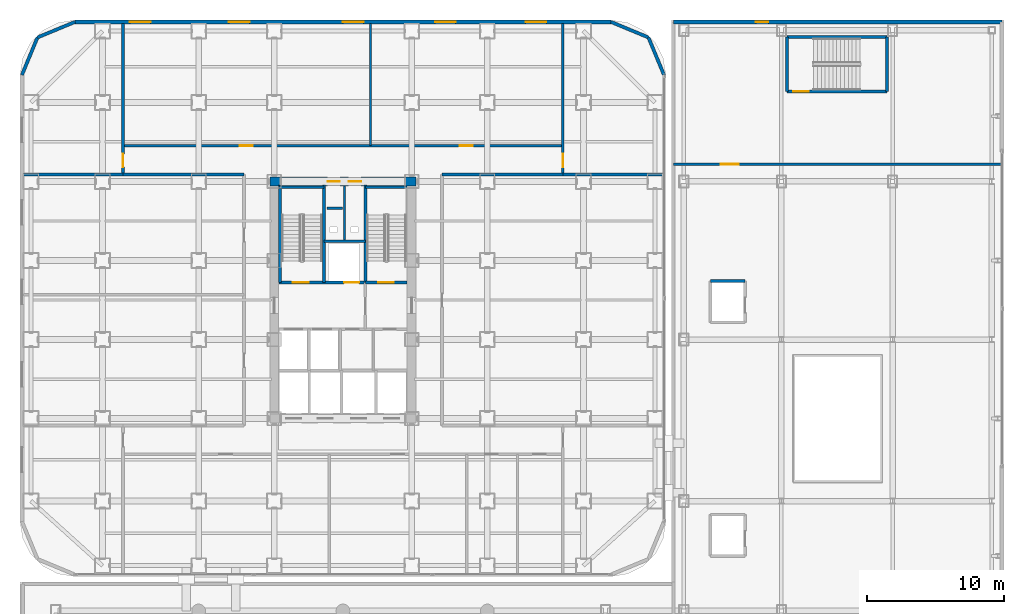
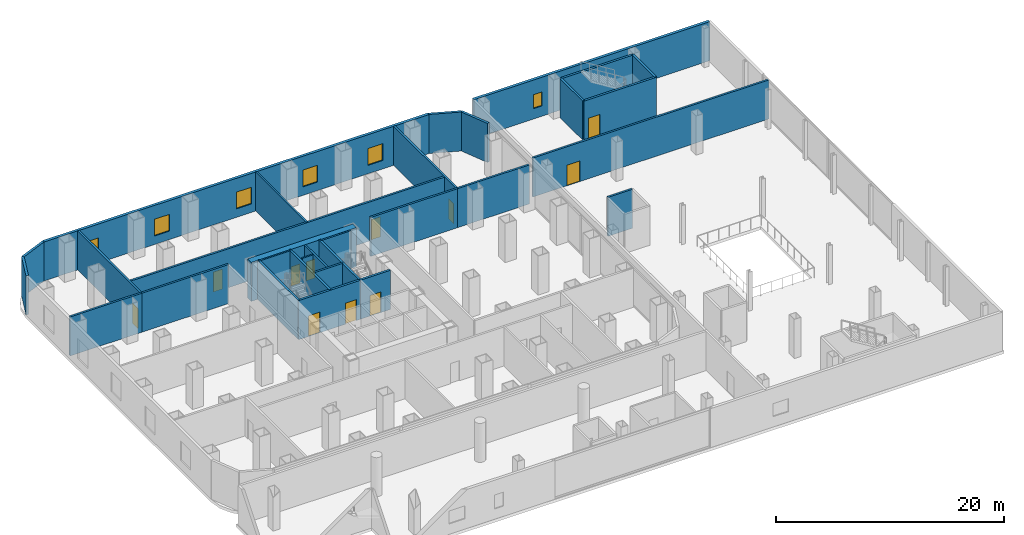
# One storey, part 21 of 26: 31 walls, 11 doors, 6 windows, 17 openings.
"""IFC4 building model written with IfcOpenShell, lengths in metres."""

from ifc_helpers import new_model, si_unit, direction, frame, frame_2d, origin, place, context, subcontext, project, spatial, rectangle, extrude, material, layer, layer_set, type_object, element, fill, save


model = new_model("IFC4")

# Units and contexts
model_context = context("Model", 3, precision=1e-05, world=origin(), true_north=direction((0.0, 1.0)))
body_context = subcontext(model_context, "Body", "Model", "MODEL_VIEW")
ifc_project = project(units=[si_unit("LENGTHUNIT", "METRE"), si_unit("AREAUNIT", "SQUARE_METRE"), si_unit("VOLUMEUNIT", "CUBIC_METRE"), si_unit("PLANEANGLEUNIT", "RADIAN"), si_unit("MASSUNIT", "GRAM", prefix="KILO")], contexts=[model_context])

# Site, building, storey
site_placement = place(None, origin())
site = spatial("IfcSite", under=ifc_project, at=site_placement, CompositionType="ELEMENT")
building_placement = place(site_placement, origin())
building = spatial("IfcBuilding", under=site, at=building_placement, Name="Kolveth Station Tower", CompositionType="ELEMENT")
storey_placement = place(building_placement, frame((0.0, 0.0, 9.0)))
storey = spatial("IfcBuildingStorey", under=building, at=storey_placement, Name="L02", CompositionType="ELEMENT", Elevation=9.0)

# Wall, openings, doors
ifc_material_1 = material(Name="Concrete C60/75", Category="concrete")
ifc_layer_1 = layer(ifc_material_1, 0.64990234375)
ifc_layer_set_1 = layer_set([ifc_layer_1], Name="Concrete C60/75")
wall_type_1 = type_object("IfcWallType", Name="Wall_CW-650", PredefinedType="SHEAR", material=ifc_layer_set_1)
wall_1_placement = place(storey_placement, frame((18.175048828125, 28.75, 0.0), z_axis=(0.0, 0.0, 1.0), x_axis=(1.0, 0.0, 0.0)))
wall_1 = element("IfcWall", 1, at=wall_1_placement, inside=storey, type_object=wall_type_1, Name="L02 Core RC Shear Wall N", PredefinedType="SHEAR", context=body_context, shape_type="SweptSolid", body=[
    extrude(rectangle(XDim=10.64990234375, YDim=0.64990234375, at=frame_2d((5.324951171875, 0.0))), origin(), (0.0, 0.0, 1.0), 4.179931640625),
])
opening_1_placement = place(wall_1_placement, frame((4.205078125, 0.0, 0.0)))
opening_1 = element("IfcOpeningElement", 2, at=opening_1_placement, cuts=wall_1, Name="Opening RD1", PredefinedType="OPENING", context=body_context, shape_type="SweptSolid", body=[
    extrude(rectangle(XDim=0.89990234375, YDim=2.050048828125, at=frame_2d((0.449951171875, 1.02490234375))), frame((0.0, 0.3349609375, 0.0), z_axis=(0.0, -1.0, 0.0), x_axis=(1.0, 0.0, 0.0)), (0.0, 0.0, 1.0), 0.669921875),
])
opening_2_placement = place(wall_1_placement, frame((5.7451171875, 0.0, 0.0)))
opening_2 = element("IfcOpeningElement", 3, at=opening_2_placement, cuts=wall_1, Name="Opening RD1", PredefinedType="OPENING", context=body_context, shape_type="SweptSolid", body=[
    extrude(rectangle(XDim=0.89990234375, YDim=2.050048828125, at=frame_2d((0.449951171875, 1.02490234375))), frame((0.0, 0.3349609375, 0.0), z_axis=(0.0, -1.0, 0.0), x_axis=(1.0, 0.0, 0.0)), (0.0, 0.0, 1.0), 0.669921875),
])
ifc_material_2 = material(Name="Fire-rated Steel S355 riser access leaf", Category="steel")
door_type_1 = type_object("IfcDoorType", Name="Door_RD1", OperationType="NOTDEFINED", PredefinedType="DOOR", material=ifc_material_2)
door_1_placement = place(opening_1_placement, origin())
door_1 = element("IfcDoor", 4, at=door_1_placement, inside=storey, type_object=door_type_1, Name="L02 Electrical Riser Access Door", OperationType="SINGLE_SWING_RIGHT", OverallHeight=2.050048828125, OverallWidth=0.89990234375, PredefinedType="DOOR", context=body_context, shape_type="SweptSolid", body=[
    extrude(rectangle(XDim=0.89990234375, YDim=2.050048828125, at=frame_2d((0.449951171875, 1.02490234375))), frame((0.0, 0.02490234375, 0.0), z_axis=(0.0, -1.0, 0.0), x_axis=(1.0, 0.0, 0.0)), (0.0, 0.0, 1.0), 0.050048828125),
])
fill(opening_1, door_1)
door_2_placement = place(opening_2_placement, origin())
door_2 = element("IfcDoor", 5, at=door_2_placement, inside=storey, type_object=door_type_1, Name="L02 Smoke Duct Access Door", OperationType="SINGLE_SWING_LEFT", OverallHeight=2.050048828125, OverallWidth=0.89990234375, PredefinedType="DOOR", context=body_context, shape_type="SweptSolid", body=[
    extrude(rectangle(XDim=0.89990234375, YDim=2.050048828125, at=frame_2d((0.449951171875, 1.02490234375))), frame((0.0, 0.02490234375, 0.0), z_axis=(0.0, -1.0, 0.0), x_axis=(1.0, 0.0, 0.0)), (0.0, 0.0, 1.0), 0.050048828125),
])
fill(opening_2, door_2)

# Walls
ifc_material_3 = material(Name="Precast concrete C40/50", Category="concrete")
ifc_layer_2 = layer(ifc_material_3, 0.239990234375)
ifc_layer_set_2 = layer_set([ifc_layer_2], Name="Precast concrete C40/50")
wall_type_2 = type_object("IfcWallType", Name="Wall_EW-240", PredefinedType="SOLIDWALL", material=ifc_layer_set_2)
for number, where, z_axis, x_axis, name in (
    (6, (46.860107421875, 36.5, 0.0), (0.0, 0.0, 1.0), (-0.382689947836, 0.923876833688, 0.0), "L02 Podium Rounded Corner Wall 3"),
    (7, (45.7294921875, 39.2294921875, 0.0), (0.0, 0.0, 1.0), (-0.923876833688, 0.382689947836, 0.0), "L02 Podium Rounded Corner Wall 4"),
    (8, (4.0, 40.360107421875, 0.0), (0.0, 0.0, 1.0), (-0.923876833688, -0.382689947836, 0.0), "L02 Podium Rounded Corner Wall 5"),
    (9, (1.2705078125, 39.2294921875, 0.0), (0.0, 0.0, 1.0), (-0.382689947836, -0.923876833688, 0.0), "L02 Podium Rounded Corner Wall 6"),
):
    element("IfcWall", number, at=place(storey_placement, frame(where, z_axis=z_axis, x_axis=x_axis)), inside=storey, type_object=wall_type_2, Name=name, PredefinedType="SOLIDWALL", context=body_context, shape_type="SweptSolid", body=[
        extrude(rectangle(XDim=2.954345703125, YDim=0.239990234375, at=frame_2d((1.47705078125, 0.0))), origin(), (0.0, 0.0, 1.0), 4.179931640625),
    ])

# Wall, openings, windows
ifc_layer_3 = layer(ifc_material_3, 0.280029296875)
ifc_layer_set_3 = layer_set([ifc_layer_3], Name="Precast concrete C40/50")
wall_type_3 = type_object("IfcWallType", Name="Wall_EW-280", PredefinedType="SOLIDWALL", material=ifc_layer_set_3)
wall_2_placement = place(storey_placement, frame((4.0, 40.360107421875, 0.0), z_axis=(0.0, 0.0, 1.0), x_axis=(1.0, 0.0, 0.0)))
wall_2 = element("IfcWall", 10, at=wall_2_placement, inside=storey, type_object=wall_type_3, Name="L02 Tower Podium North Exterior Wall", PredefinedType="SOLIDWALL", context=body_context, shape_type="SweptSolid", body=[
    extrude(rectangle(XDim=39.0, YDim=0.280029296875, at=frame_2d((19.5, 0.0))), origin(), (0.0, 0.0, 1.0), 4.179931640625),
])
opening_3_placement = place(wall_2_placement, frame((4.0, 0.0, 0.89990234375)))
opening_3 = element("IfcOpeningElement", 11, at=opening_3_placement, cuts=wall_2, Name="Opening W3", PredefinedType="OPENING", context=body_context, shape_type="SweptSolid", body=[
    extrude(rectangle(XDim=1.5, YDim=1.800048828125, at=frame_2d((0.75, 0.89990234375))), frame((0.0, 0.14990234375, 0.0), z_axis=(0.0, -1.0, 0.0), x_axis=(1.0, 0.0, 0.0)), (0.0, 0.0, 1.0), 0.300048828125),
])
opening_4_placement = place(wall_2_placement, frame((11.199951171875, 0.0, 0.89990234375)))
opening_4 = element("IfcOpeningElement", 12, at=opening_4_placement, cuts=wall_2, Name="Opening W3", PredefinedType="OPENING", context=body_context, shape_type="SweptSolid", body=[
    extrude(rectangle(XDim=1.5, YDim=1.800048828125, at=frame_2d((0.75, 0.89990234375))), frame((0.0, 0.14990234375, 0.0), z_axis=(0.0, -1.0, 0.0), x_axis=(1.0, 0.0, 0.0)), (0.0, 0.0, 1.0), 0.300048828125),
])
opening_5_placement = place(wall_2_placement, frame((19.5, 0.0, 0.89990234375)))
opening_5 = element("IfcOpeningElement", 13, at=opening_5_placement, cuts=wall_2, Name="Opening W3", PredefinedType="OPENING", context=body_context, shape_type="SweptSolid", body=[
    extrude(rectangle(XDim=1.5, YDim=1.800048828125, at=frame_2d((0.75, 0.89990234375))), frame((0.0, 0.14990234375, 0.0), z_axis=(0.0, -1.0, 0.0), x_axis=(1.0, 0.0, 0.0)), (0.0, 0.0, 1.0), 0.300048828125),
])
opening_6_placement = place(wall_2_placement, frame((26.199951171875, 0.0, 0.89990234375)))
opening_6 = element("IfcOpeningElement", 14, at=opening_6_placement, cuts=wall_2, Name="Opening W3", PredefinedType="OPENING", context=body_context, shape_type="SweptSolid", body=[
    extrude(rectangle(XDim=1.5, YDim=1.800048828125, at=frame_2d((0.75, 0.89990234375))), frame((0.0, 0.14990234375, 0.0), z_axis=(0.0, -1.0, 0.0), x_axis=(1.0, 0.0, 0.0)), (0.0, 0.0, 1.0), 0.300048828125),
])
opening_7_placement = place(wall_2_placement, frame((32.800048828125, 0.0, 0.89990234375)))
opening_7 = element("IfcOpeningElement", 15, at=opening_7_placement, cuts=wall_2, Name="Opening W3", PredefinedType="OPENING", context=body_context, shape_type="SweptSolid", body=[
    extrude(rectangle(XDim=1.5, YDim=1.800048828125, at=frame_2d((0.75, 0.89990234375))), frame((0.0, 0.14990234375, 0.0), z_axis=(0.0, -1.0, 0.0), x_axis=(1.0, 0.0, 0.0)), (0.0, 0.0, 1.0), 0.300048828125),
])
ifc_material_4 = material(Name="Black anodized aluminium 6063-T6 and low-E dark glass", Category="aluminium")
window_type_1 = type_object("IfcWindowType", Name="Win_W3", PartitioningType="SINGLE_PANEL", PredefinedType="WINDOW", material=ifc_material_4)
window_1_placement = place(opening_3_placement, origin())
window_1 = element("IfcWindow", 16, at=window_1_placement, inside=storey, type_object=window_type_1, Name="L02 Tower Podium North Window 1", OverallHeight=1.800048828125, OverallWidth=1.5, PartitioningType="SINGLE_PANEL", PredefinedType="WINDOW", context=body_context, shape_type="SweptSolid", body=[
    extrude(rectangle(XDim=1.5, YDim=1.800048828125, at=frame_2d((0.75, 0.89990234375))), frame((0.0, 0.030029296875, 0.0), z_axis=(0.0, -1.0, 0.0), x_axis=(1.0, 0.0, 0.0)), (0.0, 0.0, 1.0), 0.06005859375),
])
fill(opening_3, window_1)
window_2_placement = place(opening_4_placement, origin())
window_2 = element("IfcWindow", 17, at=window_2_placement, inside=storey, type_object=window_type_1, Name="L02 Tower Podium North Window 2", OverallHeight=1.800048828125, OverallWidth=1.5, PartitioningType="SINGLE_PANEL", PredefinedType="WINDOW", context=body_context, shape_type="SweptSolid", body=[
    extrude(rectangle(XDim=1.5, YDim=1.800048828125, at=frame_2d((0.75, 0.89990234375))), frame((0.0, 0.030029296875, 0.0), z_axis=(0.0, -1.0, 0.0), x_axis=(1.0, 0.0, 0.0)), (0.0, 0.0, 1.0), 0.06005859375),
])
fill(opening_4, window_2)
window_3_placement = place(opening_5_placement, origin())
window_3 = element("IfcWindow", 18, at=window_3_placement, inside=storey, type_object=window_type_1, Name="L02 Tower Podium North Window 3", OverallHeight=1.800048828125, OverallWidth=1.5, PartitioningType="SINGLE_PANEL", PredefinedType="WINDOW", context=body_context, shape_type="SweptSolid", body=[
    extrude(rectangle(XDim=1.5, YDim=1.800048828125, at=frame_2d((0.75, 0.89990234375))), frame((0.0, 0.030029296875, 0.0), z_axis=(0.0, -1.0, 0.0), x_axis=(1.0, 0.0, 0.0)), (0.0, 0.0, 1.0), 0.06005859375),
])
fill(opening_5, window_3)
window_4_placement = place(opening_6_placement, origin())
window_4 = element("IfcWindow", 19, at=window_4_placement, inside=storey, type_object=window_type_1, Name="L02 Tower Podium North Window 4", OverallHeight=1.800048828125, OverallWidth=1.5, PartitioningType="SINGLE_PANEL", PredefinedType="WINDOW", context=body_context, shape_type="SweptSolid", body=[
    extrude(rectangle(XDim=1.5, YDim=1.800048828125, at=frame_2d((0.75, 0.89990234375))), frame((0.0, 0.030029296875, 0.0), z_axis=(0.0, -1.0, 0.0), x_axis=(1.0, 0.0, 0.0)), (0.0, 0.0, 1.0), 0.06005859375),
])
fill(opening_6, window_4)
window_5_placement = place(opening_7_placement, origin())
window_5 = element("IfcWindow", 20, at=window_5_placement, inside=storey, type_object=window_type_1, Name="L02 Tower Podium North Window 5", OverallHeight=1.800048828125, OverallWidth=1.5, PartitioningType="SINGLE_PANEL", PredefinedType="WINDOW", context=body_context, shape_type="SweptSolid", body=[
    extrude(rectangle(XDim=1.5, YDim=1.800048828125, at=frame_2d((0.75, 0.89990234375))), frame((0.0, 0.030029296875, 0.0), z_axis=(0.0, -1.0, 0.0), x_axis=(1.0, 0.0, 0.0)), (0.0, 0.0, 1.0), 0.06005859375),
])
fill(opening_7, window_5)

# Wall, opening, window
wall_3_placement = place(storey_placement, frame((47.5400390625, 40.35009765625, 0.0), z_axis=(0.0, 0.0, 1.0), x_axis=(1.0, 0.0, 0.0)))
wall_3 = element("IfcWall", 21, at=wall_3_placement, inside=storey, type_object=wall_type_3, Name="L02 Station Exterior Wall N1", PredefinedType="SOLIDWALL", context=body_context, shape_type="SweptSolid", body=[
    extrude(rectangle(XDim=23.909912109375, YDim=0.280029296875, at=frame_2d((11.955078125, 0.0))), origin(), (0.0, 0.0, 1.0), 4.179931640625),
])
opening_8_placement = place(wall_3_placement, frame((6.010009765625, 0.0, 1.10009765625)))
opening_8 = element("IfcOpeningElement", 22, at=opening_8_placement, cuts=wall_3, Name="Opening W8", PredefinedType="OPENING", context=body_context, shape_type="SweptSolid", body=[
    extrude(rectangle(XDim=0.89990234375, YDim=1.5, at=frame_2d((0.449951171875, 0.75))), frame((0.0, 0.14990234375, 0.0), z_axis=(0.0, -1.0, 0.0), x_axis=(1.0, 0.0, 0.0)), (0.0, 0.0, 1.0), 0.300048828125),
])
ifc_material_5 = material(Name="Black anodized aluminium 6063-T6 and frosted glass", Category="aluminium")
window_type_2 = type_object("IfcWindowType", Name="Win_W8", PartitioningType="SINGLE_PANEL", PredefinedType="WINDOW", material=ifc_material_5)
window_6_placement = place(opening_8_placement, origin())
window_6 = element("IfcWindow", 23, at=window_6_placement, inside=storey, type_object=window_type_2, Name="L02 Station Hall Window 4", OverallHeight=1.5, OverallWidth=0.89990234375, PartitioningType="SINGLE_PANEL", PredefinedType="WINDOW", context=body_context, shape_type="SweptSolid", body=[
    extrude(rectangle(XDim=0.89990234375, YDim=1.5, at=frame_2d((0.449951171875, 0.75))), frame((0.0, 0.030029296875, 0.0), z_axis=(0.0, -1.0, 0.0), x_axis=(1.0, 0.0, 0.0)), (0.0, 0.0, 1.0), 0.06005859375),
])
fill(opening_8, window_6)

# Walls
ifc_material_6 = material(Name="Acoustic double-stud gypsum partition")
ifc_layer_4 = layer(ifc_material_6, 0.1650390625)
ifc_layer_set_4 = layer_set([ifc_layer_4], Name="Acoustic double-stud gypsum partition")
wall_type_4 = type_object("IfcWallType", Name="Wall_IW-165", PredefinedType="PARTITIONING", material=ifc_layer_set_4)
wall_4_placement = place(storey_placement, frame((18.8349609375, 28.3349609375, 0.0), z_axis=(0.0, 0.0, 1.0), x_axis=(1.0, 0.0, 0.0)))
element("IfcWall", 24, at=wall_4_placement, inside=storey, type_object=wall_type_4, Name="L02 Stair Shaft Wall WL-L02-ST1-N", PredefinedType="PARTITIONING", context=body_context, shape_type="SweptSolid", body=[
    extrude(rectangle(XDim=3.275146484375, YDim=0.1650390625, at=frame_2d((1.6376953125, 0.0))), origin(), (0.0, 0.0, 1.0), 4.179931640625),
])
wall_5_placement = place(storey_placement, frame((25.1298828125, 28.3349609375, 0.0), z_axis=(0.0, 0.0, 1.0), x_axis=(1.0, 0.0, 0.0)))
element("IfcWall", 25, at=wall_5_placement, inside=storey, type_object=wall_type_4, Name="L02 Stair Shaft Wall WL-L02-ST2-N", PredefinedType="PARTITIONING", context=body_context, shape_type="SweptSolid", body=[
    extrude(rectangle(XDim=3.03515625, YDim=0.1650390625, at=frame_2d((1.517578125, 0.0))), origin(), (0.0, 0.0, 1.0), 4.179931640625),
])
wall_6_placement = place(storey_placement, frame((23.6201171875, 24.39990234375, 0.0), z_axis=(0.0, 0.0, 1.0), x_axis=(0.0, 1.0, 0.0)))
element("IfcWall", 26, at=wall_6_placement, inside=storey, type_object=wall_type_4, Name="L02 Partition Wall WL-L02-RSR-M", PredefinedType="PARTITIONING", context=body_context, shape_type="SweptSolid", body=[
    extrude(rectangle(XDim=4.01513671875, YDim=0.1650390625, at=frame_2d((2.007568359375, 0.0))), origin(), (0.0, 0.0, 1.0), 4.179931640625),
])
wall_7_placement = place(storey_placement, frame((25.5, 31.35009765625, 0.0), z_axis=(0.0, 0.0, 1.0), x_axis=(0.0, 1.0, 0.0)))
element("IfcWall", 27, at=wall_7_placement, inside=storey, type_object=wall_type_4, Name="L02 Partition Wall WL-L02-TPN-P1", PredefinedType="PARTITIONING", context=body_context, shape_type="SweptSolid", body=[
    extrude(rectangle(XDim=8.89990234375, YDim=0.1650390625, at=frame_2d((4.449951171875, 0.0))), origin(), (0.0, 0.0, 1.0), 4.179931640625),
])
wall_8_placement = place(storey_placement, frame((22.35009765625, 26.800048828125, 0.0), z_axis=(0.0, 0.0, 1.0), x_axis=(1.0, 0.0, 0.0)))
element("IfcWall", 28, at=wall_8_placement, inside=storey, type_object=wall_type_4, Name="L02 Acoustic Riser Dry-Lining Wall", PredefinedType="PARTITIONING", context=body_context, shape_type="SweptSolid", body=[
    extrude(rectangle(XDim=1.099853515625, YDim=0.1650390625, at=frame_2d((0.5498046875, 0.0))), origin(), (0.0, 0.0, 1.0), 4.179931640625),
])
ifc_material_7 = material(Name="Acoustic fire-rated gypsum blockwork", Category="masonry")
ifc_layer_5 = layer(ifc_material_7, 0.199951171875)
ifc_layer_set_5 = layer_set([ifc_layer_5], Name="Acoustic fire-rated gypsum blockwork")
wall_type_5 = type_object("IfcWallType", Name="Wall_IW-200", PredefinedType="PARTITIONING", material=ifc_layer_set_5)
wall_9_placement = place(storey_placement, frame((22.110107421875, 24.39990234375, 0.0), z_axis=(0.0, 0.0, 1.0), x_axis=(1.0, 0.0, 0.0)))
element("IfcWall", 29, at=wall_9_placement, inside=storey, type_object=wall_type_5, Name="L02 Partition Wall WL-L02-RSR-S", PredefinedType="PARTITIONING", context=body_context, shape_type="SweptSolid", body=[
    extrude(rectangle(XDim=3.019775390625, YDim=0.199951171875, at=frame_2d((1.509765625, 0.0))), origin(), (0.0, 0.0, 1.0), 4.179931640625),
])

# Wall, openings, doors
wall_10_placement = place(storey_placement, frame((7.5, 31.35009765625, 0.0), z_axis=(0.0, 0.0, 1.0), x_axis=(1.0, 0.0, 0.0)))
wall_10 = element("IfcWall", 30, at=wall_10_placement, inside=storey, type_object=wall_type_5, Name="L02 Partition Wall WL-L02-BN", PredefinedType="PARTITIONING", context=body_context, shape_type="SweptSolid", body=[
    extrude(rectangle(XDim=32.0, YDim=0.199951171875, at=frame_2d((16.0, 0.0))), origin(), (0.0, 0.0, 1.0), 4.179931640625),
])
opening_9_placement = place(wall_10_placement, frame((8.5, 0.0, 0.0)))
opening_9 = element("IfcOpeningElement", 31, at=opening_9_placement, cuts=wall_10, Name="Opening ID1", PredefinedType="OPENING", context=body_context, shape_type="SweptSolid", body=[
    extrude(rectangle(XDim=0.949951171875, YDim=2.14990234375, at=frame_2d((0.47509765625, 1.074951171875))), frame((0.0, 0.10986328125, 0.0), z_axis=(0.0, -1.0, 0.0), x_axis=(1.0, 0.0, 0.0)), (0.0, 0.0, 1.0), 0.219970703125),
])
opening_10_placement = place(wall_10_placement, frame((24.5, 0.0, 0.0)))
opening_10 = element("IfcOpeningElement", 32, at=opening_10_placement, cuts=wall_10, Name="Opening ID1", PredefinedType="OPENING", context=body_context, shape_type="SweptSolid", body=[
    extrude(rectangle(XDim=0.949951171875, YDim=2.14990234375, at=frame_2d((0.47509765625, 1.074951171875))), frame((0.0, 0.10986328125, 0.0), z_axis=(0.0, -1.0, 0.0), x_axis=(1.0, 0.0, 0.0)), (0.0, 0.0, 1.0), 0.219970703125),
])
ifc_material_8 = material(Name="Acoustic hardwood leaf and aluminium frame", Category="wood")
door_type_2 = type_object("IfcDoorType", Name="Door_ID1", OperationType="NOTDEFINED", PredefinedType="DOOR", material=ifc_material_8)
door_3_placement = place(opening_9_placement, origin())
door_3 = element("IfcDoor", 33, at=door_3_placement, inside=storey, type_object=door_type_2, Name="L02 Retail Unit North Door", OperationType="SINGLE_SWING_LEFT", OverallHeight=2.14990234375, OverallWidth=0.949951171875, PredefinedType="DOOR", context=body_context, shape_type="SweptSolid", body=[
    extrude(rectangle(XDim=0.949951171875, YDim=2.14990234375, at=frame_2d((0.47509765625, 1.074951171875))), frame((0.0, 0.02490234375, 0.0), z_axis=(0.0, -1.0, 0.0), x_axis=(1.0, 0.0, 0.0)), (0.0, 0.0, 1.0), 0.050048828125),
])
fill(opening_9, door_3)
door_4_placement = place(opening_10_placement, origin())
door_4 = element("IfcDoor", 34, at=door_4_placement, inside=storey, type_object=door_type_2, Name="L02 Podium Lounge Door", OperationType="SINGLE_SWING_LEFT", OverallHeight=2.14990234375, OverallWidth=0.949951171875, PredefinedType="DOOR", context=body_context, shape_type="SweptSolid", body=[
    extrude(rectangle(XDim=0.949951171875, YDim=2.14990234375, at=frame_2d((0.47509765625, 1.074951171875))), frame((0.0, 0.02490234375, 0.0), z_axis=(0.0, -1.0, 0.0), x_axis=(1.0, 0.0, 0.0)), (0.0, 0.0, 1.0), 0.050048828125),
])
fill(opening_10, door_4)

# Walls
for number, where, z_axis, x_axis, name in (
    (35, (7.5, 29.25, 0.0), (0.0, 0.0, 1.0), (1.0, 0.0, 0.0), "L02 Partition Wall WL-L02-BNWB"),
    (36, (30.699951171875, 29.25, 0.0), (0.0, 0.0, 1.0), (1.0, 0.0, 0.0), "L02 Partition Wall WL-L02-BNEB"),
):
    element("IfcWall", number, at=place(storey_placement, frame(where, z_axis=z_axis, x_axis=x_axis)), inside=storey, type_object=wall_type_5, Name=name, PredefinedType="PARTITIONING", context=body_context, shape_type="SweptSolid", body=[
        extrude(rectangle(XDim=8.800048828125, YDim=0.199951171875, at=frame_2d((4.39990234375, 0.0))), origin(), (0.0, 0.0, 1.0), 4.179931640625),
    ])

# Wall, opening, door
wall_11_placement = place(storey_placement, frame((7.5, 29.25, 0.0), z_axis=(0.0, 0.0, 1.0), x_axis=(0.0, 1.0, 0.0)))
wall_11 = element("IfcWall", 37, at=wall_11_placement, inside=storey, type_object=wall_type_5, Name="L02 Partition Wall WL-L02-BWN", PredefinedType="PARTITIONING", context=body_context, shape_type="SweptSolid", body=[
    extrude(rectangle(XDim=11.0, YDim=0.199951171875, at=frame_2d((5.5, 0.0))), origin(), (0.0, 0.0, 1.0), 4.179931640625),
])
opening_11_placement = place(wall_11_placement, frame((0.550048828125, 0.0, 0.0)))
opening_11 = element("IfcOpeningElement", 38, at=opening_11_placement, cuts=wall_11, Name="Opening ID1", PredefinedType="OPENING", context=body_context, shape_type="SweptSolid", body=[
    extrude(rectangle(XDim=0.949951171875, YDim=2.14990234375, at=frame_2d((0.47509765625, 1.074951171875))), frame((0.0, 0.10986328125, 0.0), z_axis=(0.0, -1.0, 0.0), x_axis=(1.0, 0.0, 0.0)), (0.0, 0.0, 1.0), 0.219970703125),
])
door_5_placement = place(opening_11_placement, frame((0.949951171875, 0.0, 0.0), z_axis=(0.0, 0.0, 1.0), x_axis=(-1.0, 0.0, 0.0)))
door_5 = element("IfcDoor", 39, at=door_5_placement, inside=storey, type_object=door_type_2, Name="L02 Podium Retail Unit CNW Door", OperationType="SINGLE_SWING_LEFT", OverallHeight=2.14990234375, OverallWidth=0.949951171875, PredefinedType="DOOR", context=body_context, shape_type="SweptSolid", body=[
    extrude(rectangle(XDim=0.949951171875, YDim=2.14990234375, at=frame_2d((0.47509765625, 1.074951171875))), frame((0.0, 0.02490234375, 0.0), z_axis=(0.0, -1.0, 0.0), x_axis=(1.0, 0.0, 0.0)), (0.0, 0.0, 1.0), 0.050048828125),
])
fill(opening_11, door_5)

wall_12_placement = place(storey_placement, frame((39.5, 29.25, 0.0), z_axis=(0.0, 0.0, 1.0), x_axis=(0.0, 1.0, 0.0)))
wall_12 = element("IfcWall", 40, at=wall_12_placement, inside=storey, type_object=wall_type_5, Name="L02 Partition Wall WL-L02-BEN", PredefinedType="PARTITIONING", context=body_context, shape_type="SweptSolid", body=[
    extrude(rectangle(XDim=11.0, YDim=0.199951171875, at=frame_2d((5.5, 0.0))), origin(), (0.0, 0.0, 1.0), 4.179931640625),
])
opening_12_placement = place(wall_12_placement, frame((0.550048828125, 0.0, 0.0)))
opening_12 = element("IfcOpeningElement", 41, at=opening_12_placement, cuts=wall_12, Name="Opening ID1", PredefinedType="OPENING", context=body_context, shape_type="SweptSolid", body=[
    extrude(rectangle(XDim=0.949951171875, YDim=2.14990234375, at=frame_2d((0.47509765625, 1.074951171875))), frame((0.0, 0.10986328125, 0.0), z_axis=(0.0, -1.0, 0.0), x_axis=(1.0, 0.0, 0.0)), (0.0, 0.0, 1.0), 0.219970703125),
])
door_6_placement = place(opening_12_placement, origin())
door_6 = element("IfcDoor", 42, at=door_6_placement, inside=storey, type_object=door_type_2, Name="L02 Podium Retail Unit CNE Door", OperationType="SINGLE_SWING_LEFT", OverallHeight=2.14990234375, OverallWidth=0.949951171875, PredefinedType="DOOR", context=body_context, shape_type="SweptSolid", body=[
    extrude(rectangle(XDim=0.949951171875, YDim=2.14990234375, at=frame_2d((0.47509765625, 1.074951171875))), frame((0.0, 0.02490234375, 0.0), z_axis=(0.0, -1.0, 0.0), x_axis=(1.0, 0.0, 0.0)), (0.0, 0.0, 1.0), 0.050048828125),
])
fill(opening_12, door_6)

# Walls
for number, where, z_axis, x_axis, name in (
    (43, (0.25, 29.25, 0.0), (0.0, 0.0, 1.0), (1.0, 0.0, 0.0), "L02 Partition Wall WL-L02-BWM2"),
    (44, (39.5, 29.25, 0.0), (0.0, 0.0, 1.0), (1.0, 0.0, 0.0), "L02 Partition Wall WL-L02-BEM2"),
):
    element("IfcWall", number, at=place(storey_placement, frame(where, z_axis=z_axis, x_axis=x_axis)), inside=storey, type_object=wall_type_5, Name=name, PredefinedType="PARTITIONING", context=body_context, shape_type="SweptSolid", body=[
        extrude(rectangle(XDim=7.25, YDim=0.199951171875, at=frame_2d((3.625, 0.0))), origin(), (0.0, 0.0, 1.0), 4.179931640625),
    ])
wall_13_placement = place(storey_placement, frame((50.25, 21.5, 0.0), z_axis=(0.0, 0.0, 1.0), x_axis=(1.0, 0.0, 0.0)))
element("IfcWall", 45, at=wall_13_placement, inside=storey, type_object=wall_type_5, Name="L02 Partition Wall WL-L02-SL2-N", PredefinedType="PARTITIONING", context=body_context, shape_type="SweptSolid", body=[
    extrude(rectangle(XDim=2.5, YDim=0.199951171875, at=frame_2d((1.25, 0.0))), origin(), (0.0, 0.0, 1.0), 4.179931640625),
])

# Wall, opening, door
wall_14_placement = place(storey_placement, frame((47.550048828125, 30.0, 0.0), z_axis=(0.0, 0.0, 1.0), x_axis=(1.0, 0.0, 0.0)))
wall_14 = element("IfcWall", 46, at=wall_14_placement, inside=storey, type_object=wall_type_5, Name="L02 Partition Wall WL-L02-STN-DIV", PredefinedType="PARTITIONING", context=body_context, shape_type="SweptSolid", body=[
    extrude(rectangle(XDim=23.89990234375, YDim=0.199951171875, at=frame_2d((11.949951171875, 0.0))), origin(), (0.0, 0.0, 1.0), 4.179931640625),
])
opening_13_placement = place(wall_14_placement, frame((3.449951171875, 0.0, 0.0)))
opening_13 = element("IfcOpeningElement", 47, at=opening_13_placement, cuts=wall_14, Name="Opening ID3", PredefinedType="OPENING", context=body_context, shape_type="SweptSolid", body=[
    extrude(rectangle(XDim=1.300048828125, YDim=2.199951171875, at=frame_2d((0.64990234375, 1.10009765625))), frame((0.0, 0.10986328125, 0.0), z_axis=(0.0, -1.0, 0.0), x_axis=(1.0, 0.0, 0.0)), (0.0, 0.0, 1.0), 0.219970703125),
])
ifc_material_9 = material(Name="Glazed acoustic office double leaf")
door_type_3 = type_object("IfcDoorType", Name="Door_ID3", OperationType="NOTDEFINED", PredefinedType="DOOR", material=ifc_material_9)
door_7_placement = place(opening_13_placement, origin())
door_7 = element("IfcDoor", 48, at=door_7_placement, inside=storey, type_object=door_type_3, Name="L02 Station Concourse Gate", OperationType="DOUBLE_DOOR_SINGLE_SWING", OverallHeight=2.199951171875, OverallWidth=1.300048828125, PredefinedType="DOOR", context=body_context, shape_type="SweptSolid", body=[
    extrude(rectangle(XDim=1.300048828125, YDim=2.199951171875, at=frame_2d((0.64990234375, 1.10009765625))), frame((0.0, 0.02490234375, 0.0), z_axis=(0.0, -1.0, 0.0), x_axis=(1.0, 0.0, 0.0)), (0.0, 0.0, 1.0), 0.050048828125),
])
fill(opening_13, door_7)

# Walls
ifc_material_10 = material(Name="Concrete C40/50", Category="concrete")
ifc_layer_6 = layer(ifc_material_10, 0.219970703125)
ifc_layer_set_6 = layer_set([ifc_layer_6], Name="Concrete C40/50")
wall_type_6 = type_object("IfcWallType", Name="Wall_IW-220", PredefinedType="SOLIDWALL", material=ifc_layer_set_6)
for number, where, z_axis, x_axis, name in (
    (49, (18.929931640625, 21.389892578125, 0.0), (0.0, 0.0, 1.0), (0.0, 1.0, 0.0), "L02 Stair Shaft Wall WL-L02-ST1-W"),
    (50, (22.110107421875, 21.389892578125, 0.0), (0.0, 0.0, 1.0), (0.0, 1.0, 0.0), "L02 Stair Shaft Wall WL-L02-ST1-E"),
    (51, (25.1298828125, 21.389892578125, 0.0), (0.0, 0.0, 1.0), (0.0, 1.0, 0.0), "L02 Stair Shaft Wall WL-L02-ST2-W"),
):
    element("IfcWall", number, at=place(storey_placement, frame(where, z_axis=z_axis, x_axis=x_axis)), inside=storey, type_object=wall_type_6, Name=name, PredefinedType="SOLIDWALL", context=body_context, shape_type="SweptSolid", body=[
        extrude(rectangle(XDim=7.110107421875, YDim=0.219970703125, at=frame_2d((3.55517578125, 0.0))), origin(), (0.0, 0.0, 1.0), 4.179931640625),
    ])

# Wall, openings, doors
wall_15_placement = place(storey_placement, frame((18.8349609375, 21.389892578125, 0.0), z_axis=(0.0, 0.0, 1.0), x_axis=(1.0, 0.0, 0.0)))
wall_15 = element("IfcWall", 52, at=wall_15_placement, inside=storey, type_object=wall_type_6, Name="L02 Stair Shaft Wall WL-L02-ST1-S", PredefinedType="SOLIDWALL", context=body_context, shape_type="SweptSolid", body=[
    extrude(rectangle(XDim=6.294921875, YDim=0.219970703125, at=frame_2d((3.1474609375, 0.0))), origin(), (0.0, 0.0, 1.0), 4.179931640625),
])
opening_14_placement = place(wall_15_placement, frame((1.014892578125, 0.0, 0.0)))
opening_14 = element("IfcOpeningElement", 53, at=opening_14_placement, cuts=wall_15, Name="Opening FD1", PredefinedType="OPENING", context=body_context, shape_type="SweptSolid", body=[
    extrude(rectangle(XDim=1.14990234375, YDim=2.199951171875, at=frame_2d((0.574951171875, 1.10009765625))), frame((0.0, 0.119873046875, 0.0), z_axis=(0.0, -1.0, 0.0), x_axis=(1.0, 0.0, 0.0)), (0.0, 0.0, 1.0), 0.239990234375),
])
opening_15_placement = place(wall_15_placement, frame((4.7451171875, 0.0, 0.0)))
opening_15 = element("IfcOpeningElement", 54, at=opening_15_placement, cuts=wall_15, Name="Opening LD1", PredefinedType="OPENING", context=body_context, shape_type="SweptSolid", body=[
    extrude(rectangle(XDim=1.10009765625, YDim=2.25, at=frame_2d((0.550048828125, 1.125))), frame((0.0, 0.119873046875, 0.0), z_axis=(0.0, -1.0, 0.0), x_axis=(1.0, 0.0, 0.0)), (0.0, 0.0, 1.0), 0.239990234375),
])
ifc_material_11 = material(Name="Fire-rated Steel S355 leaf and frame", Category="steel")
door_type_4 = type_object("IfcDoorType", Name="Door_FD1", OperationType="NOTDEFINED", PredefinedType="DOOR", material=ifc_material_11)
door_8_placement = place(opening_14_placement, frame((1.14990234375, 0.0, 0.0), z_axis=(0.0, 0.0, 1.0), x_axis=(-1.0, 0.0, 0.0)))
door_8 = element("IfcDoor", 55, at=door_8_placement, inside=storey, type_object=door_type_4, Name="L02 Stair ST1 Fire Door", OperationType="SINGLE_SWING_LEFT", OverallHeight=2.199951171875, OverallWidth=1.14990234375, PredefinedType="DOOR", context=body_context, shape_type="SweptSolid", body=[
    extrude(rectangle(XDim=1.14990234375, YDim=2.199951171875, at=frame_2d((0.574951171875, 1.10009765625))), frame((0.0, 0.02490234375, 0.0), z_axis=(0.0, -1.0, 0.0), x_axis=(1.0, 0.0, 0.0)), (0.0, 0.0, 1.0), 0.050048828125),
])
fill(opening_14, door_8)
ifc_material_12 = material(Name="Brushed stainless steel sliding landing doors", Category="steel")
door_type_5 = type_object("IfcDoorType", Name="Door_LD1", OperationType="NOTDEFINED", PredefinedType="DOOR", material=ifc_material_12)
door_9_placement = place(opening_15_placement, frame((1.10009765625, 0.0, 0.0), z_axis=(0.0, 0.0, 1.0), x_axis=(-1.0, 0.0, 0.0)))
door_9 = element("IfcDoor", 56, at=door_9_placement, inside=storey, type_object=door_type_5, Name="L02 Service Lift SV1 Landing Door", OperationType="DOUBLE_DOOR_SLIDING", OverallHeight=2.25, OverallWidth=1.10009765625, PredefinedType="DOOR", context=body_context, shape_type="SweptSolid", body=[
    extrude(rectangle(XDim=1.10009765625, YDim=2.25, at=frame_2d((0.550048828125, 1.125))), frame((0.0, 0.02490234375, 0.0), z_axis=(0.0, -1.0, 0.0), x_axis=(1.0, 0.0, 0.0)), (0.0, 0.0, 1.0), 0.050048828125),
])
fill(opening_15, door_9)

# Wall, opening, door
wall_16_placement = place(storey_placement, frame((25.1298828125, 21.389892578125, 0.0), z_axis=(0.0, 0.0, 1.0), x_axis=(1.0, 0.0, 0.0)))
wall_16 = element("IfcWall", 57, at=wall_16_placement, inside=storey, type_object=wall_type_6, Name="L02 Stair Shaft Wall WL-L02-ST2-S", PredefinedType="SOLIDWALL", context=body_context, shape_type="SweptSolid", body=[
    extrude(rectangle(XDim=3.03515625, YDim=0.219970703125, at=frame_2d((1.517578125, 0.0))), origin(), (0.0, 0.0, 1.0), 4.179931640625),
])
opening_16_placement = place(wall_16_placement, frame((0.919921875, 0.0, 0.0)))
opening_16 = element("IfcOpeningElement", 58, at=opening_16_placement, cuts=wall_16, Name="Opening FD1", PredefinedType="OPENING", context=body_context, shape_type="SweptSolid", body=[
    extrude(rectangle(XDim=1.14990234375, YDim=2.199951171875, at=frame_2d((0.574951171875, 1.10009765625))), frame((0.0, 0.119873046875, 0.0), z_axis=(0.0, -1.0, 0.0), x_axis=(1.0, 0.0, 0.0)), (0.0, 0.0, 1.0), 0.239990234375),
])
door_10_placement = place(opening_16_placement, frame((1.14990234375, 0.0, 0.0), z_axis=(0.0, 0.0, 1.0), x_axis=(-1.0, 0.0, 0.0)))
door_10 = element("IfcDoor", 59, at=door_10_placement, inside=storey, type_object=door_type_4, Name="L02 Stair ST2 Fire Door", OperationType="SINGLE_SWING_RIGHT", OverallHeight=2.199951171875, OverallWidth=1.14990234375, PredefinedType="DOOR", context=body_context, shape_type="SweptSolid", body=[
    extrude(rectangle(XDim=1.14990234375, YDim=2.199951171875, at=frame_2d((0.574951171875, 1.10009765625))), frame((0.0, 0.02490234375, 0.0), z_axis=(0.0, -1.0, 0.0), x_axis=(1.0, 0.0, 0.0)), (0.0, 0.0, 1.0), 0.050048828125),
])
fill(opening_16, door_10)

wall_17_placement = place(storey_placement, frame((55.800048828125, 35.300048828125, 0.0), z_axis=(0.0, 0.0, 1.0), x_axis=(1.0, 0.0, 0.0)))
wall_17 = element("IfcWall", 60, at=wall_17_placement, inside=storey, type_object=wall_type_6, Name="L02 Stair Shaft Wall WL-L02-ST3-S", PredefinedType="SOLIDWALL", context=body_context, shape_type="SweptSolid", body=[
    extrude(rectangle(XDim=7.300048828125, YDim=0.219970703125, at=frame_2d((3.64990234375, 0.0))), origin(), (0.0, 0.0, 1.0), 4.179931640625),
])
opening_17_placement = place(wall_17_placement, frame((0.449951171875, 0.0, 0.0)))
opening_17 = element("IfcOpeningElement", 61, at=opening_17_placement, cuts=wall_17, Name="Opening FD1", PredefinedType="OPENING", context=body_context, shape_type="SweptSolid", body=[
    extrude(rectangle(XDim=1.14990234375, YDim=2.199951171875, at=frame_2d((0.574951171875, 1.10009765625))), frame((0.0, 0.119873046875, 0.0), z_axis=(0.0, -1.0, 0.0), x_axis=(1.0, 0.0, 0.0)), (0.0, 0.0, 1.0), 0.239990234375),
])
door_11_placement = place(opening_17_placement, frame((1.14990234375, 0.0, 0.0), z_axis=(0.0, 0.0, 1.0), x_axis=(-1.0, 0.0, 0.0)))
door_11 = element("IfcDoor", 62, at=door_11_placement, inside=storey, type_object=door_type_4, Name="L02 Station Stair ST3 Door", OperationType="SINGLE_SWING_LEFT", OverallHeight=2.199951171875, OverallWidth=1.14990234375, PredefinedType="DOOR", context=body_context, shape_type="SweptSolid", body=[
    extrude(rectangle(XDim=1.14990234375, YDim=2.199951171875, at=frame_2d((0.574951171875, 1.10009765625))), frame((0.0, 0.02490234375, 0.0), z_axis=(0.0, -1.0, 0.0), x_axis=(1.0, 0.0, 0.0)), (0.0, 0.0, 1.0), 0.050048828125),
])
fill(opening_17, door_11)

# Walls
wall_18_placement = place(storey_placement, frame((55.800048828125, 39.260009765625, 0.0), z_axis=(0.0, 0.0, 1.0), x_axis=(1.0, 0.0, 0.0)))
element("IfcWall", 63, at=wall_18_placement, inside=storey, type_object=wall_type_6, Name="L02 Stair Shaft Wall WL-L02-ST3-N", PredefinedType="SOLIDWALL", context=body_context, shape_type="SweptSolid", body=[
    extrude(rectangle(XDim=7.300048828125, YDim=0.219970703125, at=frame_2d((3.64990234375, 0.0))), origin(), (0.0, 0.0, 1.0), 4.179931640625),
])
for number, where, z_axis, x_axis, name in (
    (64, (55.800048828125, 35.300048828125, 0.0), (0.0, 0.0, 1.0), (0.0, 1.0, 0.0), "L02 Stair Shaft Wall WL-L02-ST3-W"),
    (65, (63.10009765625, 35.300048828125, 0.0), (0.0, 0.0, 1.0), (0.0, 1.0, 0.0), "L02 Stair Shaft Wall WL-L02-ST3-E"),
):
    element("IfcWall", number, at=place(storey_placement, frame(where, z_axis=z_axis, x_axis=x_axis)), inside=storey, type_object=wall_type_6, Name=name, PredefinedType="SOLIDWALL", context=body_context, shape_type="SweptSolid", body=[
        extrude(rectangle(XDim=3.9599609375, YDim=0.219970703125, at=frame_2d((1.97998046875, 0.0))), origin(), (0.0, 0.0, 1.0), 4.179931640625),
    ])

save(model, "model.ifc")
